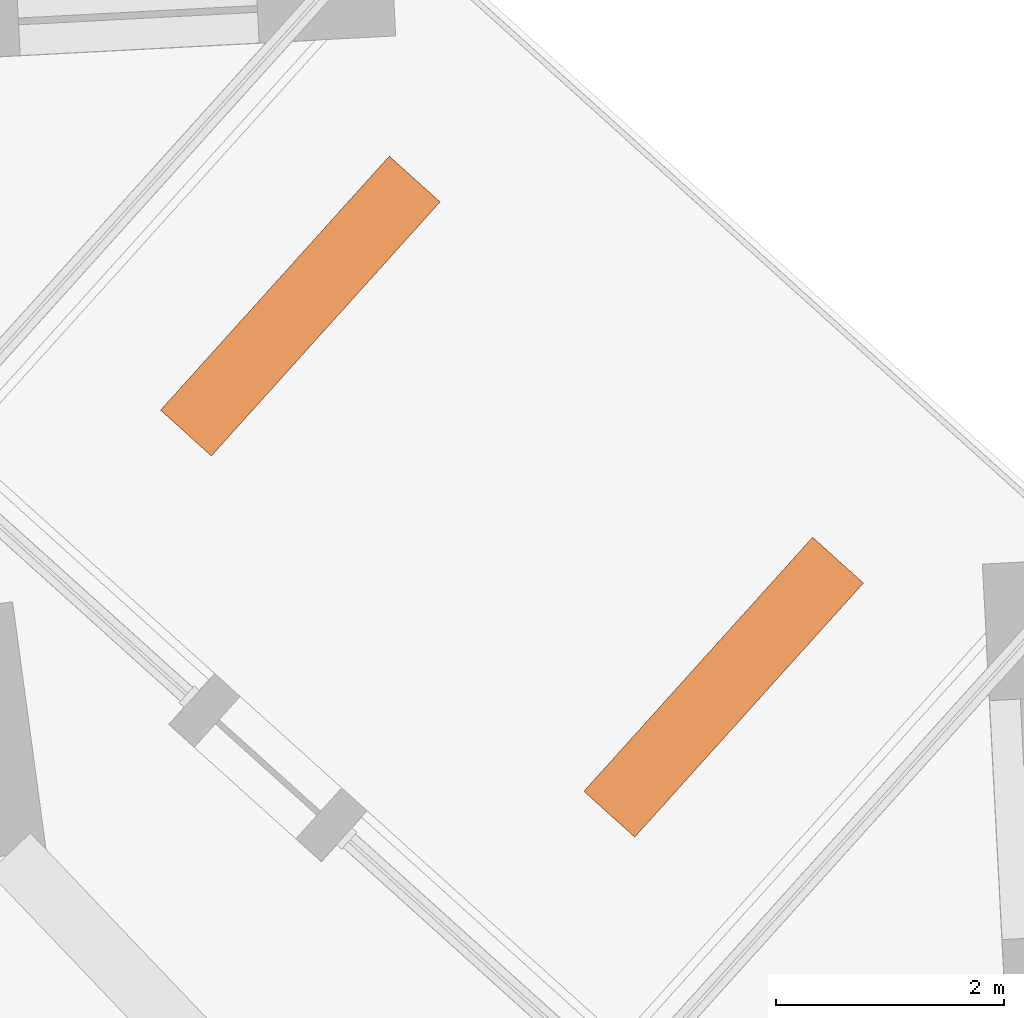
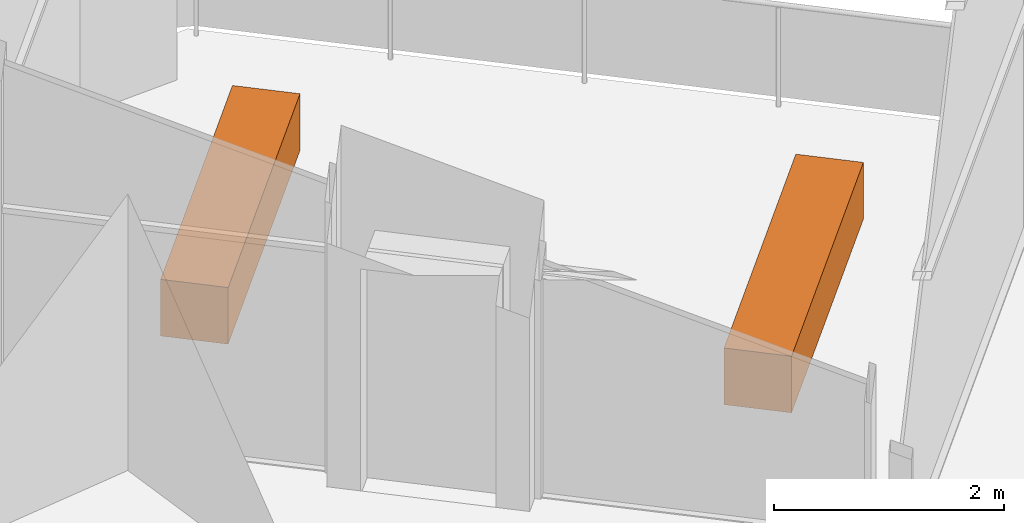
# One storey, part 10 of 10: 2 proxies.
"""IFC4 building model written with IfcOpenShell, lengths in metres."""

import ifcopenshell
import ifcopenshell.guid

model = None  # the IFC model being written
_history = None  # IfcOwnerHistory: only IFC2X3 demands one
_inside = {}  # id of a spatial element -> (the spatial element, [elements in it])
_under = {}  # id of a project, library or spatial element -> (it, [spatial elements below it])
_declared = {}  # id of a project -> (the project, [libraries it declares])
_typed = {}  # id of a type object -> (the type object, [elements of that type])
_made_of = {}  # id of a material, layer set ... -> (it, [elements and type objects made of it])


def new_model(schema):
    """Start an empty IFC model of exactly this schema.

    Asked for "IFC4X3", IfcOpenShell would pick the latest addendum, in which some entities
    have other attributes; the version numbers below select the first issue.
    IFC2X3 requires an IfcOwnerHistory on every rooted entity: one is made here for all.
    """
    global model, _history
    if schema == "IFC4X3":
        model = ifcopenshell.file(schema_version=(4, 3, 0, 0))
    else:
        model = ifcopenshell.file(schema=schema)
    _inside.clear()
    _under.clear()
    _declared.clear()
    _typed.clear()
    _made_of.clear()
    _history = None
    if model.schema == "IFC2X3":
        org = make("IfcOrganization", Name="unknown")
        user = make(
            "IfcPersonAndOrganization",
            ThePerson=make("IfcPerson", FamilyName="unknown"),
            TheOrganization=org,
        )
        app = make(
            "IfcApplication",
            ApplicationDeveloper=org,
            Version="unknown",
            ApplicationFullName="unknown",
            ApplicationIdentifier="unknown",
        )
        _history = make(
            "IfcOwnerHistory",
            OwningUser=user,
            OwningApplication=app,
            ChangeAction="ADDED",
            CreationDate=0,
        )
    return model


def make(cls, **values):
    """One entity of the class cls with the attributes given. An attribute that is None is left unset."""
    return model.create_entity(
        cls, **{name: value for name, value in values.items() if value is not None}
    )


def rooted(cls, **values):
    """An entity with a GlobalId (a new one), such as an element, a storey or a relation."""
    return make(cls, GlobalId=ifcopenshell.guid.new(), OwnerHistory=_history, **values)


def si_unit(unit_type, name, prefix=None):
    """IfcSIUnit, for example si_unit("LENGTHUNIT", "METRE", prefix="MILLI")."""
    return make("IfcSIUnit", UnitType=unit_type, Prefix=prefix, Name=name)


def assignment(units):
    """IfcUnitAssignment: the units of a project."""
    return None if units is None else make("IfcUnitAssignment", Units=units)


def point(xyz):
    """IfcCartesianPoint."""
    return None if xyz is None else make("IfcCartesianPoint", Coordinates=xyz)


def direction(xyz):
    """IfcDirection."""
    return None if xyz is None else make("IfcDirection", DirectionRatios=xyz)


def frame(location, z_axis=None, x_axis=None):
    """IfcAxis2Placement3D, a coordinate frame: its origin and axes. An axis left out is left unset."""
    return make(
        "IfcAxis2Placement3D",
        Location=point(location),
        Axis=direction(z_axis),
        RefDirection=direction(x_axis),
    )


def frame_2d(location, x_axis=None):
    """IfcAxis2Placement2D, a coordinate frame in the plane: its origin and x axis."""
    return make(
        "IfcAxis2Placement2D", Location=point(location), RefDirection=direction(x_axis)
    )


def origin():
    """The frame at (0, 0, 0) with its axes left unset."""
    return frame((0.0, 0.0, 0.0))


def origin_2d():
    """The frame at (0, 0) in the plane with its x axis left unset."""
    return frame_2d((0.0, 0.0))


def place(relative_to, where):
    """IfcLocalPlacement: puts the frame where relative to a parent placement (None: the world)."""
    return make(
        "IfcLocalPlacement", PlacementRelTo=relative_to, RelativePlacement=where
    )


def context(
    kind, dimensions, precision=None, world=None, true_north=None, identifier=None
):
    """IfcGeometricRepresentationContext, for example the 3D "Model" context."""
    return make(
        "IfcGeometricRepresentationContext",
        ContextIdentifier=identifier,
        ContextType=kind,
        CoordinateSpaceDimension=dimensions,
        Precision=precision,
        WorldCoordinateSystem=world,
        TrueNorth=true_north,
    )


def subcontext(parent, identifier, kind, view, scale=None):
    """IfcGeometricRepresentationSubContext, for example "Body" below "Model"."""
    return make(
        "IfcGeometricRepresentationSubContext",
        ContextIdentifier=identifier,
        ContextType=kind,
        ParentContext=parent,
        TargetScale=scale,
        TargetView=view,
    )


def project(units=None, contexts=None):
    """IfcProject with its units and contexts."""
    return rooted(
        "IfcProject",
        Name="project",
        RepresentationContexts=contexts,
        UnitsInContext=assignment(units),
    )


def spatial(cls, under=None, at=None, **own):
    """A site, building, storey or space (cls), placed at a placement, below another one or the project."""
    s = rooted(cls, ObjectPlacement=at, **own)
    if under is not None:
        _under.setdefault(under.id(), (under, []))[1].append(s)
    return s


def profile(cls, at=None, kind="AREA", **sizes):
    """A parametric profile (cls). Its sizes go by their IFC names, for example OverallWidth=200.0."""
    return make(cls, ProfileType=kind, Position=at, **sizes)


def rectangle(**sizes):
    """IfcRectangleProfileDef."""
    return profile("IfcRectangleProfileDef", **sizes)


def extrude(swept, where, along, depth):
    """IfcExtrudedAreaSolid: the profile swept, set in the frame where, extruded along a direction by depth."""
    return make(
        "IfcExtrudedAreaSolid",
        SweptArea=swept,
        Position=where,
        ExtrudedDirection=direction(along),
        Depth=depth,
    )


def shape(context_of_items, identifier, shape_type, items):
    """IfcShapeRepresentation: the items that make up one representation, for example the "Body"."""
    return make(
        "IfcShapeRepresentation",
        ContextOfItems=context_of_items,
        RepresentationIdentifier=identifier,
        RepresentationType=shape_type,
        Items=items,
    )


def made_of(thing, what):
    """Note that an element or type object is made of a material, layer set ...; save() writes the relation."""
    if what is not None:
        _made_of.setdefault(what.id(), (what, []))[1].append(thing)
    return thing


def element(
    cls,
    number,
    at=None,
    inside=None,
    cuts=None,
    type_object=None,
    material=None,
    context=None,
    identifier="Body",
    shape_type=None,
    held_by="IfcProductDefinitionShape",
    body=None,
    shapes=None,
    **own,
):
    """One element of the class cls, such as IfcWall. Its Tag is "e" and its number.

    at: its placement. inside: the storey or other place that contains it. cuts: it is an
    opening in that element (IfcRelVoidsElement). A single representation is given by context,
    identifier, shape_type and body (its items); several are given by shapes. held_by: the class
    of the entity that holds the representations. save() writes the other relations.
    """
    e = rooted(cls, Tag="e%d" % number, ObjectPlacement=at, **own)
    if body is not None:
        shapes = [shape(context, identifier, shape_type, body)]
    if shapes is not None:
        e.Representation = make(held_by, Representations=shapes)
    if inside is not None:
        _inside.setdefault(inside.id(), (inside, []))[1].append(e)
    if cuts is not None:
        rooted(
            "IfcRelVoidsElement", RelatingBuildingElement=cuts, RelatedOpeningElement=e
        )
    if type_object is not None:
        _typed.setdefault(type_object.id(), (type_object, []))[1].append(e)
    return made_of(e, material)


def aggregate(whole, parts):
    """IfcRelAggregates: a whole, such as a stair, and the parts it consists of."""
    return rooted("IfcRelAggregates", RelatingObject=whole, RelatedObjects=parts)


def save(model, path):
    """Write the relations noted so far, then the file.

    IfcRelAggregates (storeys below a building ...), IfcRelContainedInSpatialStructure (elements
    in a storey), IfcRelDefinesByType, IfcRelAssociatesMaterial and IfcRelDeclares: one each for
    every whole, place, type object, material and project.
    """
    for whole, parts in _under.values():
        aggregate(whole, parts)
    for where, things in _inside.values():
        rooted(
            "IfcRelContainedInSpatialStructure",
            RelatedElements=things,
            RelatingStructure=where,
        )
    for kind, things in _typed.values():
        rooted("IfcRelDefinesByType", RelatedObjects=things, RelatingType=kind)
    for what, things in _made_of.values():
        rooted("IfcRelAssociatesMaterial", RelatedObjects=things, RelatingMaterial=what)
    for by, libraries in _declared.values():
        rooted("IfcRelDeclares", RelatingContext=by, RelatedDefinitions=libraries)
    model.write(path)


model = new_model("IFC4")

# Units and contexts
model_context = context("Model", 3, precision=1e-05, world=origin(), true_north=direction((0.0, 1.0)))
body_context = subcontext(model_context, "Body", "Model", "MODEL_VIEW")
ifc_project = project(units=[si_unit("LENGTHUNIT", "METRE"), si_unit("AREAUNIT", "SQUARE_METRE"), si_unit("VOLUMEUNIT", "CUBIC_METRE"), si_unit("PLANEANGLEUNIT", "RADIAN"), si_unit("MASSUNIT", "GRAM", prefix="KILO")], contexts=[model_context])

# Site, building, storey
site_placement = place(None, origin())
site = spatial("IfcSite", under=ifc_project, at=site_placement, CompositionType="ELEMENT")
building_placement = place(site_placement, origin())
building = spatial("IfcBuilding", under=site, at=building_placement, Name="Dilmun Exchange Tower", CompositionType="ELEMENT")
storey_placement = place(building_placement, frame((0.0, 0.0, 27.300048828125)))
storey = spatial("IfcBuildingStorey", under=building, at=storey_placement, Name="L06", CompositionType="ELEMENT", Elevation=27.300048828125)

# Proxies
for number, where, z_axis, x_axis, name in (
    (1, (25.806640625, 24.925048828125, 0.0), (0.0, 0.0, 1.0), (0.669130606359, 0.743144825477, 0.0), "PLANTER Desert shrub L06.1"),
    (2, (22.0908203125, 28.2705078125, 0.0), (0.0, 0.0, 1.0), (0.669130606359, 0.743144825477, 0.0), "PLANTER Desert shrub L06.2"),
):
    element("IfcBuildingElementProxy", number, at=place(storey_placement, frame(where, z_axis=z_axis, x_axis=x_axis)), inside=storey, Name=name, ObjectType="PLANTER", PredefinedType="USERDEFINED", context=body_context, shape_type="SweptSolid", body=[
        extrude(rectangle(XDim=3.0, YDim=0.60009765625, at=origin_2d()), origin(), (0.0, 0.0, 1.0), 0.60009765625),
    ])

save(model, "model.ifc")
